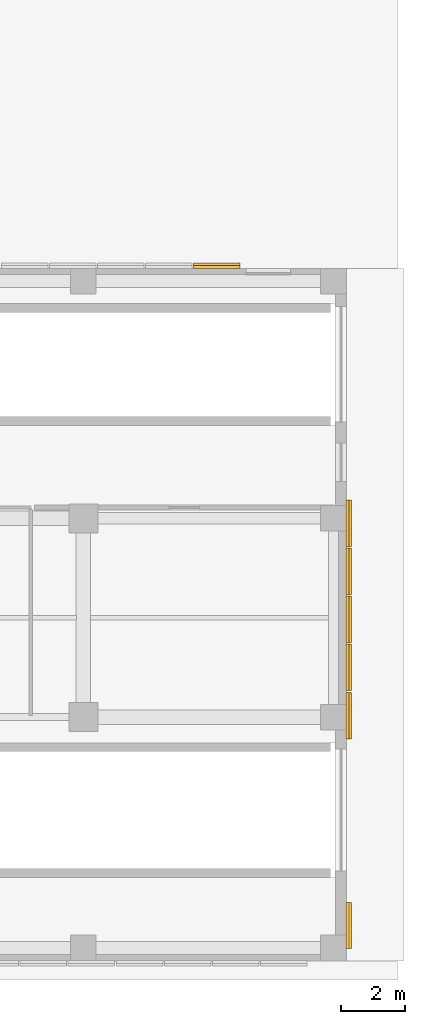
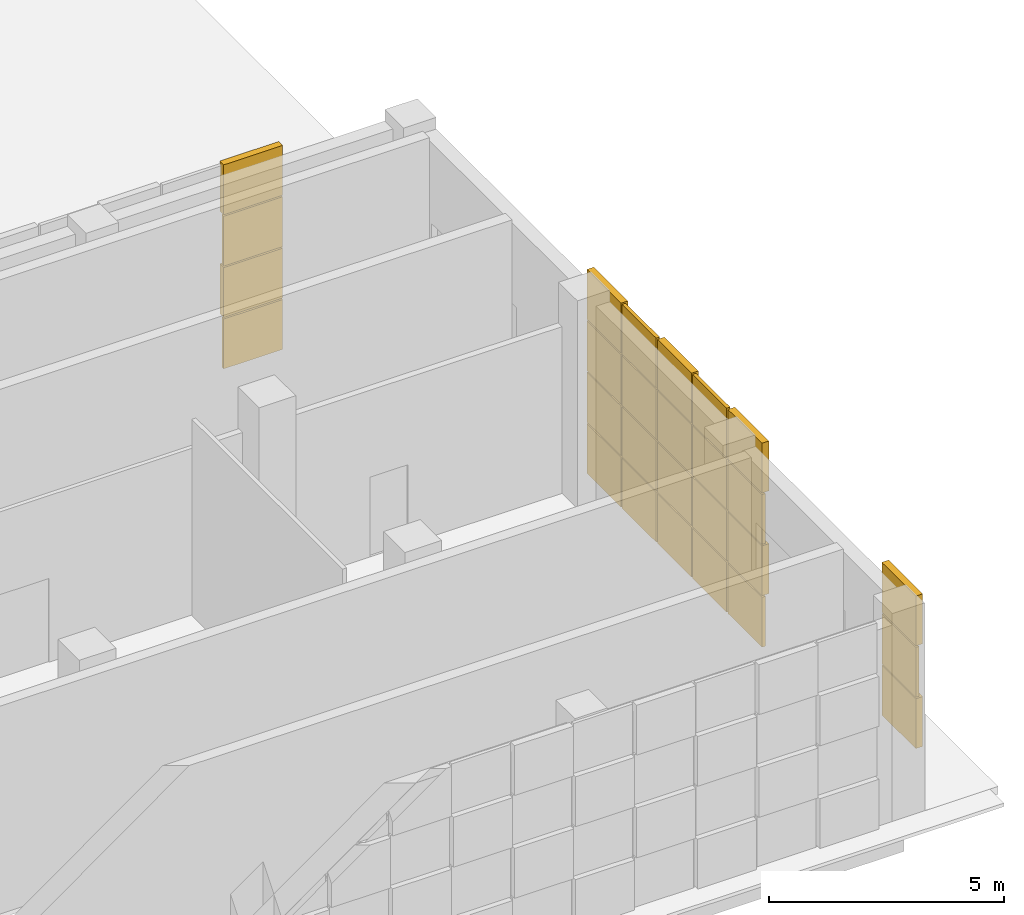
# One storey, part 40 of 40: 27 coverings.
"""IFC4 building model written with IfcOpenShell, lengths in metres."""

import ifcopenshell
import ifcopenshell.guid

model = None  # the IFC model being written
_history = None  # IfcOwnerHistory: only IFC2X3 demands one
_inside = {}  # id of a spatial element -> (the spatial element, [elements in it])
_under = {}  # id of a project, library or spatial element -> (it, [spatial elements below it])
_declared = {}  # id of a project -> (the project, [libraries it declares])
_typed = {}  # id of a type object -> (the type object, [elements of that type])
_made_of = {}  # id of a material, layer set ... -> (it, [elements and type objects made of it])


def new_model(schema):
    """Start an empty IFC model of exactly this schema.

    Asked for "IFC4X3", IfcOpenShell would pick the latest addendum, in which some entities
    have other attributes; the version numbers below select the first issue.
    IFC2X3 requires an IfcOwnerHistory on every rooted entity: one is made here for all.
    """
    global model, _history
    if schema == "IFC4X3":
        model = ifcopenshell.file(schema_version=(4, 3, 0, 0))
    else:
        model = ifcopenshell.file(schema=schema)
    _inside.clear()
    _under.clear()
    _declared.clear()
    _typed.clear()
    _made_of.clear()
    _history = None
    if model.schema == "IFC2X3":
        org = make("IfcOrganization", Name="unknown")
        user = make(
            "IfcPersonAndOrganization",
            ThePerson=make("IfcPerson", FamilyName="unknown"),
            TheOrganization=org,
        )
        app = make(
            "IfcApplication",
            ApplicationDeveloper=org,
            Version="unknown",
            ApplicationFullName="unknown",
            ApplicationIdentifier="unknown",
        )
        _history = make(
            "IfcOwnerHistory",
            OwningUser=user,
            OwningApplication=app,
            ChangeAction="ADDED",
            CreationDate=0,
        )
    return model


def make(cls, **values):
    """One entity of the class cls with the attributes given. An attribute that is None is left unset."""
    return model.create_entity(
        cls, **{name: value for name, value in values.items() if value is not None}
    )


def rooted(cls, **values):
    """An entity with a GlobalId (a new one), such as an element, a storey or a relation."""
    return make(cls, GlobalId=ifcopenshell.guid.new(), OwnerHistory=_history, **values)


def si_unit(unit_type, name, prefix=None):
    """IfcSIUnit, for example si_unit("LENGTHUNIT", "METRE", prefix="MILLI")."""
    return make("IfcSIUnit", UnitType=unit_type, Prefix=prefix, Name=name)


def assignment(units):
    """IfcUnitAssignment: the units of a project."""
    return None if units is None else make("IfcUnitAssignment", Units=units)


def point(xyz):
    """IfcCartesianPoint."""
    return None if xyz is None else make("IfcCartesianPoint", Coordinates=xyz)


def direction(xyz):
    """IfcDirection."""
    return None if xyz is None else make("IfcDirection", DirectionRatios=xyz)


def frame(location, z_axis=None, x_axis=None):
    """IfcAxis2Placement3D, a coordinate frame: its origin and axes. An axis left out is left unset."""
    return make(
        "IfcAxis2Placement3D",
        Location=point(location),
        Axis=direction(z_axis),
        RefDirection=direction(x_axis),
    )


def frame_2d(location, x_axis=None):
    """IfcAxis2Placement2D, a coordinate frame in the plane: its origin and x axis."""
    return make(
        "IfcAxis2Placement2D", Location=point(location), RefDirection=direction(x_axis)
    )


def origin():
    """The frame at (0, 0, 0) with its axes left unset."""
    return frame((0.0, 0.0, 0.0))


def origin_2d():
    """The frame at (0, 0) in the plane with its x axis left unset."""
    return frame_2d((0.0, 0.0))


def place(relative_to, where):
    """IfcLocalPlacement: puts the frame where relative to a parent placement (None: the world)."""
    return make(
        "IfcLocalPlacement", PlacementRelTo=relative_to, RelativePlacement=where
    )


def context(
    kind, dimensions, precision=None, world=None, true_north=None, identifier=None
):
    """IfcGeometricRepresentationContext, for example the 3D "Model" context."""
    return make(
        "IfcGeometricRepresentationContext",
        ContextIdentifier=identifier,
        ContextType=kind,
        CoordinateSpaceDimension=dimensions,
        Precision=precision,
        WorldCoordinateSystem=world,
        TrueNorth=true_north,
    )


def subcontext(parent, identifier, kind, view, scale=None):
    """IfcGeometricRepresentationSubContext, for example "Body" below "Model"."""
    return make(
        "IfcGeometricRepresentationSubContext",
        ContextIdentifier=identifier,
        ContextType=kind,
        ParentContext=parent,
        TargetScale=scale,
        TargetView=view,
    )


def project(units=None, contexts=None):
    """IfcProject with its units and contexts."""
    return rooted(
        "IfcProject",
        Name="project",
        RepresentationContexts=contexts,
        UnitsInContext=assignment(units),
    )


def spatial(cls, under=None, at=None, **own):
    """A site, building, storey or space (cls), placed at a placement, below another one or the project."""
    s = rooted(cls, ObjectPlacement=at, **own)
    if under is not None:
        _under.setdefault(under.id(), (under, []))[1].append(s)
    return s


def profile(cls, at=None, kind="AREA", **sizes):
    """A parametric profile (cls). Its sizes go by their IFC names, for example OverallWidth=200.0."""
    return make(cls, ProfileType=kind, Position=at, **sizes)


def rectangle(**sizes):
    """IfcRectangleProfileDef."""
    return profile("IfcRectangleProfileDef", **sizes)


def extrude(swept, where, along, depth):
    """IfcExtrudedAreaSolid: the profile swept, set in the frame where, extruded along a direction by depth."""
    return make(
        "IfcExtrudedAreaSolid",
        SweptArea=swept,
        Position=where,
        ExtrudedDirection=direction(along),
        Depth=depth,
    )


def shape(context_of_items, identifier, shape_type, items):
    """IfcShapeRepresentation: the items that make up one representation, for example the "Body"."""
    return make(
        "IfcShapeRepresentation",
        ContextOfItems=context_of_items,
        RepresentationIdentifier=identifier,
        RepresentationType=shape_type,
        Items=items,
    )


def material(Name=None, Category=None):
    """IfcMaterial."""
    return make("IfcMaterial", Name=Name, Category=Category)


def layer(
    of_material, thickness, ventilated=None, Name=None, Category=None, Priority=None
):
    """IfcMaterialLayer: one layer of a wall or slab, of a material (None: an air gap)."""
    return make(
        "IfcMaterialLayer",
        Material=of_material,
        LayerThickness=thickness,
        IsVentilated=ventilated,
        Name=Name,
        Category=Category,
        Priority=Priority,
    )


def layer_set(layers, Name=None):
    """IfcMaterialLayerSet."""
    return make("IfcMaterialLayerSet", MaterialLayers=layers, LayerSetName=Name)


def made_of(thing, what):
    """Note that an element or type object is made of a material, layer set ...; save() writes the relation."""
    if what is not None:
        _made_of.setdefault(what.id(), (what, []))[1].append(thing)
    return thing


def type_object(cls, material=None, **own):
    """A type object (cls), such as IfcWallType, which elements share."""
    return made_of(rooted(cls, **own), material)


def element(
    cls,
    number,
    at=None,
    inside=None,
    cuts=None,
    type_object=None,
    material=None,
    context=None,
    identifier="Body",
    shape_type=None,
    held_by="IfcProductDefinitionShape",
    body=None,
    shapes=None,
    **own,
):
    """One element of the class cls, such as IfcWall. Its Tag is "e" and its number.

    at: its placement. inside: the storey or other place that contains it. cuts: it is an
    opening in that element (IfcRelVoidsElement). A single representation is given by context,
    identifier, shape_type and body (its items); several are given by shapes. held_by: the class
    of the entity that holds the representations. save() writes the other relations.
    """
    e = rooted(cls, Tag="e%d" % number, ObjectPlacement=at, **own)
    if body is not None:
        shapes = [shape(context, identifier, shape_type, body)]
    if shapes is not None:
        e.Representation = make(held_by, Representations=shapes)
    if inside is not None:
        _inside.setdefault(inside.id(), (inside, []))[1].append(e)
    if cuts is not None:
        rooted(
            "IfcRelVoidsElement", RelatingBuildingElement=cuts, RelatedOpeningElement=e
        )
    if type_object is not None:
        _typed.setdefault(type_object.id(), (type_object, []))[1].append(e)
    return made_of(e, material)


def aggregate(whole, parts):
    """IfcRelAggregates: a whole, such as a stair, and the parts it consists of."""
    return rooted("IfcRelAggregates", RelatingObject=whole, RelatedObjects=parts)


def save(model, path):
    """Write the relations noted so far, then the file.

    IfcRelAggregates (storeys below a building ...), IfcRelContainedInSpatialStructure (elements
    in a storey), IfcRelDefinesByType, IfcRelAssociatesMaterial and IfcRelDeclares: one each for
    every whole, place, type object, material and project.
    """
    for whole, parts in _under.values():
        aggregate(whole, parts)
    for where, things in _inside.values():
        rooted(
            "IfcRelContainedInSpatialStructure",
            RelatedElements=things,
            RelatingStructure=where,
        )
    for kind, things in _typed.values():
        rooted("IfcRelDefinesByType", RelatedObjects=things, RelatingType=kind)
    for what, things in _made_of.values():
        rooted("IfcRelAssociatesMaterial", RelatedObjects=things, RelatingMaterial=what)
    for by, libraries in _declared.values():
        rooted("IfcRelDeclares", RelatingContext=by, RelatedDefinitions=libraries)
    model.write(path)


model = new_model("IFC4")

# Units and contexts
model_context = context("Model", 3, precision=1e-05, world=origin(), true_north=direction((0.0, 1.0)))
body_context = subcontext(model_context, "Body", "Model", "MODEL_VIEW")
ifc_project = project(units=[si_unit("LENGTHUNIT", "METRE"), si_unit("AREAUNIT", "SQUARE_METRE"), si_unit("VOLUMEUNIT", "CUBIC_METRE"), si_unit("PLANEANGLEUNIT", "RADIAN"), si_unit("MASSUNIT", "GRAM", prefix="KILO")], contexts=[model_context])

# Site, building, storey
site_placement = place(None, origin())
site = spatial("IfcSite", under=ifc_project, at=site_placement, CompositionType="ELEMENT")
building_placement = place(site_placement, origin())
building = spatial("IfcBuilding", under=site, at=building_placement, Name="Qalavern Law Courts", CompositionType="ELEMENT")
storey_placement = place(building_placement, origin())
storey = spatial("IfcBuildingStorey", under=building, at=storey_placement, Name="L00", CompositionType="ELEMENT", Elevation=0.0)

# Coverings
ifc_material = material(Name="Precast concrete C40/50", Category="concrete")
ifc_layer_1 = layer(ifc_material, 0.06005859375)
ifc_layer_set_1 = layer_set([ifc_layer_1], Name="Precast concrete C40/50")
covering_type_1 = type_object("IfcCoveringType", Name="ENV-CLD-1", PredefinedType="CLADDING", material=ifc_layer_set_1)
for number, where, z_axis, x_axis, name in (
    (1, (166.080078125, 2.10009765625, 1.385009765625), (0.0, 0.0, 1.0), (0.0, 1.0, 0.0), "Cast drop-relief street-base tile 1510"),
    (2, (166.080078125, 8.64990234375, 1.385009765625), (0.0, 0.0, 1.0), (0.0, 1.0, 0.0), "Cast drop-relief street-base tile 1514"),
    (3, (166.080078125, 10.14990234375, 0.050048828125), (0.0, 0.0, 1.0), (0.0, 1.0, 0.0), "Cast drop-relief street-base tile 1517"),
):
    element("IfcCovering", number, at=place(storey_placement, frame(where, z_axis=z_axis, x_axis=x_axis)), inside=storey, type_object=covering_type_1, Name=name, PredefinedType="CLADDING", context=body_context, shape_type="SweptSolid", body=[
        extrude(rectangle(XDim=1.449951171875, YDim=0.16796875, at=origin_2d()), origin(), (0.0, 0.0, 1.0), 1.294921875),
    ])
for number, where, z_axis, x_axis, name in (
    (4, (166.0380859375, 10.14990234375, 4.054931640625), (0.0, 0.0, 1.0), (0.0, 1.0, 0.0), "Cast drop-relief street-base tile 1520"),
    (5, (166.0380859375, 11.64990234375, 2.719970703125), (0.0, 0.0, 1.0), (0.0, 1.0, 0.0), "Cast drop-relief street-base tile 1523"),
    (6, (166.0380859375, 13.14990234375, 1.385009765625), (0.0, 0.0, 1.0), (0.0, 1.0, 0.0), "Cast drop-relief street-base tile 1526"),
    (7, (166.0380859375, 14.64990234375, 0.050048828125), (0.0, 0.0, 1.0), (0.0, 1.0, 0.0), "Cast drop-relief street-base tile 1529"),
):
    element("IfcCovering", number, at=place(storey_placement, frame(where, z_axis=z_axis, x_axis=x_axis)), inside=storey, type_object=covering_type_1, Name=name, PredefinedType="CLADDING", context=body_context, shape_type="SweptSolid", body=[
        extrude(rectangle(XDim=1.449951171875, YDim=0.083984375, at=origin_2d()), origin(), (0.0, 0.0, 1.0), 1.294921875),
    ])
for number, where, z_axis, x_axis, name in (
    (8, (166.080078125, 14.64990234375, 4.054931640625), (0.0, 0.0, 1.0), (0.0, 1.0, 0.0), "Cast drop-relief street-base tile 1532"),
    (9, (161.965087890625, 22.679931640625, 1.385009765625), (0.0, 0.0, 1.0), (-1.0, 0.0, 0.0), "Cast drop-relief street-base tile 1534"),
):
    element("IfcCovering", number, at=place(storey_placement, frame(where, z_axis=z_axis, x_axis=x_axis)), inside=storey, type_object=covering_type_1, Name=name, PredefinedType="CLADDING", context=body_context, shape_type="SweptSolid", body=[
        extrude(rectangle(XDim=1.449951171875, YDim=0.16796875, at=origin_2d()), origin(), (0.0, 0.0, 1.0), 1.294921875),
    ])
ifc_layer_2 = layer(ifc_material, 0.072021484375)
ifc_layer_set_2 = layer_set([ifc_layer_2], Name="Precast concrete C40/50")
covering_type_2 = type_object("IfcCoveringType", Name="ENV-CLD-2", PredefinedType="CLADDING", material=ifc_layer_set_2)
for number, where, z_axis, x_axis, name in (
    (10, (166.0380859375, 2.10009765625, 2.719970703125), (0.0, 0.0, 1.0), (0.0, 1.0, 0.0), "Cast drop-relief street-base tile 1511"),
    (11, (166.0380859375, 8.64990234375, 2.719970703125), (0.0, 0.0, 1.0), (0.0, 1.0, 0.0), "Cast drop-relief street-base tile 1515"),
    (12, (166.0380859375, 10.14990234375, 1.385009765625), (0.0, 0.0, 1.0), (0.0, 1.0, 0.0), "Cast drop-relief street-base tile 1518"),
    (13, (166.0380859375, 11.64990234375, 0.050048828125), (0.0, 0.0, 1.0), (0.0, 1.0, 0.0), "Cast drop-relief street-base tile 1521"),
):
    element("IfcCovering", number, at=place(storey_placement, frame(where, z_axis=z_axis, x_axis=x_axis)), inside=storey, type_object=covering_type_2, Name=name, PredefinedType="CLADDING", context=body_context, shape_type="SweptSolid", body=[
        extrude(rectangle(XDim=1.449951171875, YDim=0.083984375, at=origin_2d()), origin(), (0.0, 0.0, 1.0), 1.294921875),
    ])
for number, where, z_axis, x_axis, name in (
    (14, (166.080078125, 11.64990234375, 4.054931640625), (0.0, 0.0, 1.0), (0.0, 1.0, 0.0), "Cast drop-relief street-base tile 1524"),
    (15, (166.080078125, 13.14990234375, 2.719970703125), (0.0, 0.0, 1.0), (0.0, 1.0, 0.0), "Cast drop-relief street-base tile 1527"),
    (16, (166.080078125, 14.64990234375, 1.385009765625), (0.0, 0.0, 1.0), (0.0, 1.0, 0.0), "Cast drop-relief street-base tile 1530"),
):
    element("IfcCovering", number, at=place(storey_placement, frame(where, z_axis=z_axis, x_axis=x_axis)), inside=storey, type_object=covering_type_2, Name=name, PredefinedType="CLADDING", context=body_context, shape_type="SweptSolid", body=[
        extrude(rectangle(XDim=1.449951171875, YDim=0.16796875, at=origin_2d()), origin(), (0.0, 0.0, 1.0), 1.294921875),
    ])
covering_1_placement = place(storey_placement, frame((161.965087890625, 22.637939453125, 2.719970703125), z_axis=(0.0, 0.0, 1.0), x_axis=(-1.0, 0.0, 0.0)))
element("IfcCovering", 17, at=covering_1_placement, inside=storey, type_object=covering_type_2, Name="Cast drop-relief street-base tile 1535", PredefinedType="CLADDING", context=body_context, shape_type="SweptSolid", body=[
    extrude(rectangle(XDim=1.449951171875, YDim=0.083984375, at=origin_2d()), origin(), (0.0, 0.0, 1.0), 1.294921875),
])
ifc_layer_3 = layer(ifc_material, 0.083984375)
ifc_layer_set_3 = layer_set([ifc_layer_3], Name="Precast concrete C40/50")
covering_type_3 = type_object("IfcCoveringType", Name="ENV-CLD-3", PredefinedType="CLADDING", material=ifc_layer_set_3)
covering_2_placement = place(storey_placement, frame((166.080078125, 2.10009765625, 4.054931640625), z_axis=(0.0, 0.0, 1.0), x_axis=(0.0, 1.0, 0.0)))
element("IfcCovering", 18, at=covering_2_placement, inside=storey, type_object=covering_type_3, Name="Cast drop-relief street-base tile 1512", PredefinedType="CLADDING", context=body_context, shape_type="SweptSolid", body=[
    extrude(rectangle(XDim=1.449951171875, YDim=0.16796875, at=origin_2d()), origin(), (0.0, 0.0, 1.0), 1.294921875),
])
covering_3_placement = place(storey_placement, frame((166.0380859375, 8.64990234375, 0.050048828125), z_axis=(0.0, 0.0, 1.0), x_axis=(0.0, 1.0, 0.0)))
element("IfcCovering", 19, at=covering_3_placement, inside=storey, type_object=covering_type_3, Name="Cast drop-relief street-base tile 1513", PredefinedType="CLADDING", context=body_context, shape_type="SweptSolid", body=[
    extrude(rectangle(XDim=1.449951171875, YDim=0.083984375, at=origin_2d()), origin(), (0.0, 0.0, 1.0), 1.294921875),
])
for number, where, z_axis, x_axis, name in (
    (20, (166.080078125, 8.64990234375, 4.054931640625), (0.0, 0.0, 1.0), (0.0, 1.0, 0.0), "Cast drop-relief street-base tile 1516"),
    (21, (166.080078125, 10.14990234375, 2.719970703125), (0.0, 0.0, 1.0), (0.0, 1.0, 0.0), "Cast drop-relief street-base tile 1519"),
    (22, (166.080078125, 11.64990234375, 1.385009765625), (0.0, 0.0, 1.0), (0.0, 1.0, 0.0), "Cast drop-relief street-base tile 1522"),
    (23, (166.080078125, 13.14990234375, 0.050048828125), (0.0, 0.0, 1.0), (0.0, 1.0, 0.0), "Cast drop-relief street-base tile 1525"),
):
    element("IfcCovering", number, at=place(storey_placement, frame(where, z_axis=z_axis, x_axis=x_axis)), inside=storey, type_object=covering_type_3, Name=name, PredefinedType="CLADDING", context=body_context, shape_type="SweptSolid", body=[
        extrude(rectangle(XDim=1.449951171875, YDim=0.16796875, at=origin_2d()), origin(), (0.0, 0.0, 1.0), 1.294921875),
    ])
for number, where, z_axis, x_axis, name in (
    (24, (166.0380859375, 13.14990234375, 4.054931640625), (0.0, 0.0, 1.0), (0.0, 1.0, 0.0), "Cast drop-relief street-base tile 1528"),
    (25, (166.0380859375, 14.64990234375, 2.719970703125), (0.0, 0.0, 1.0), (0.0, 1.0, 0.0), "Cast drop-relief street-base tile 1531"),
    (26, (161.965087890625, 22.637939453125, 0.050048828125), (0.0, 0.0, 1.0), (-1.0, 0.0, 0.0), "Cast drop-relief street-base tile 1533"),
):
    element("IfcCovering", number, at=place(storey_placement, frame(where, z_axis=z_axis, x_axis=x_axis)), inside=storey, type_object=covering_type_3, Name=name, PredefinedType="CLADDING", context=body_context, shape_type="SweptSolid", body=[
        extrude(rectangle(XDim=1.449951171875, YDim=0.083984375, at=origin_2d()), origin(), (0.0, 0.0, 1.0), 1.294921875),
    ])
covering_4_placement = place(storey_placement, frame((161.965087890625, 22.679931640625, 4.054931640625), z_axis=(0.0, 0.0, 1.0), x_axis=(-1.0, 0.0, 0.0)))
element("IfcCovering", 27, at=covering_4_placement, inside=storey, type_object=covering_type_3, Name="Cast drop-relief street-base tile 1536", PredefinedType="CLADDING", context=body_context, shape_type="SweptSolid", body=[
    extrude(rectangle(XDim=1.449951171875, YDim=0.16796875, at=origin_2d()), origin(), (0.0, 0.0, 1.0), 1.294921875),
])

save(model, "model.ifc")
